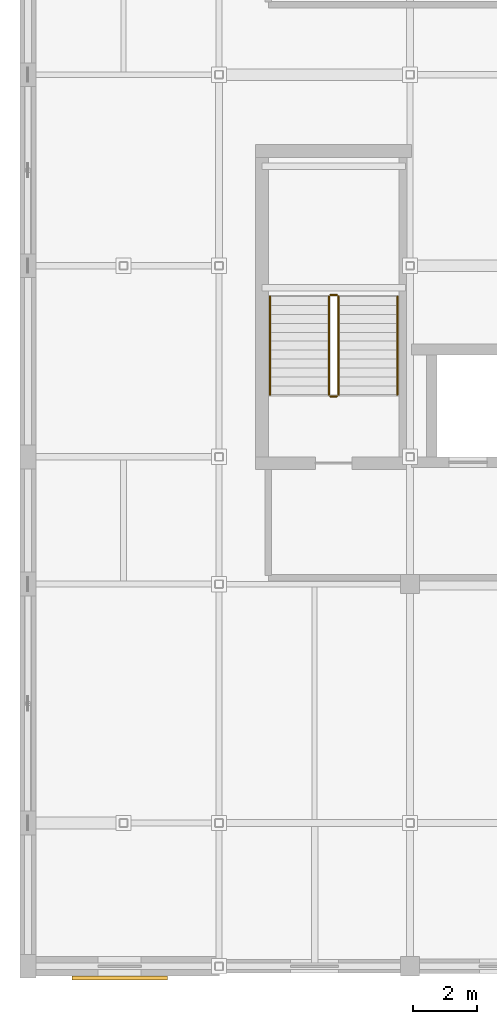
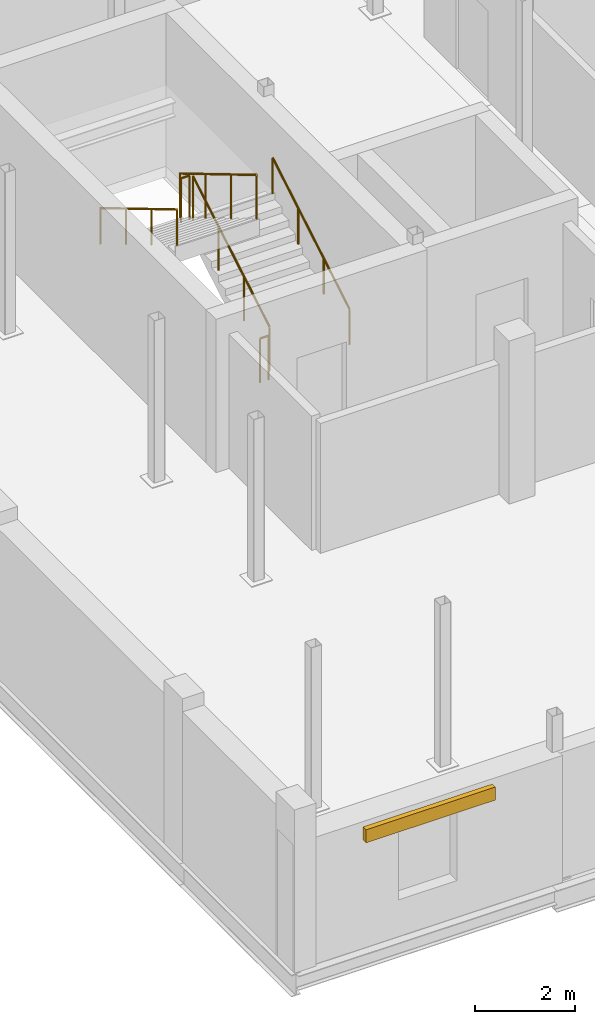
# One storey, part 93 of 96: 6 railings, 1 shading device.
"""IFC4 building model written with IfcOpenShell, lengths in metres."""

from ifc_helpers import new_model, si_unit, direction, frame, origin, origin_2d, place, context, subcontext, project, spatial, rectangle, circle, extrude, material, type_object, element, save


model = new_model("IFC4")

# Units and contexts
model_context = context("Model", 3, precision=1e-05, world=origin(), true_north=direction((0.0, 1.0)))
body_context = subcontext(model_context, "Body", "Model", "MODEL_VIEW")
ifc_project = project(units=[si_unit("LENGTHUNIT", "METRE"), si_unit("AREAUNIT", "SQUARE_METRE"), si_unit("VOLUMEUNIT", "CUBIC_METRE"), si_unit("PLANEANGLEUNIT", "RADIAN"), si_unit("MASSUNIT", "GRAM", prefix="KILO")], contexts=[model_context])

# Site, building, storey
site_placement = place(None, origin())
site = spatial("IfcSite", under=ifc_project, at=site_placement, CompositionType="ELEMENT")
building_placement = place(site_placement, origin())
building = spatial("IfcBuilding", under=site, at=building_placement, Name="Verrall Gate Interchange", CompositionType="ELEMENT")
storey_placement = place(building_placement, frame((0.0, 0.0, 11.39990234375)))
storey = spatial("IfcBuildingStorey", under=building, at=storey_placement, Name="L03", CompositionType="ELEMENT", Elevation=11.39990234375)

# Railings
ifc_material_1 = material(Name="Brushed Stainless-Steel Guardrail and Handrail System", Category="steel")
railing_type_1 = type_object("IfcRailingType", Name="GR-02 Interior Atrium and Stair Guardrail 1100", PredefinedType="GUARDRAIL", material=ifc_material_1)
railing_1_placement = place(storey_placement, frame((9.75, 17.949951171875, 0.166748046875)))
element("IfcRailing", 1, at=railing_1_placement, inside=storey, type_object=railing_type_1, Name="L03 ST-01 stair guard 1", PredefinedType="GUARDRAIL", context=body_context, shape_type="SweptSolid", body=[
    extrude(circle(Radius=0.02392578125, at=origin_2d()), frame((0.0, 0.0, 1.076171875), z_axis=(0.0, 0.859308565015, 0.511457515432), x_axis=(-1.0, 0.0, 0.0)), (0.0, 0.0, 1.0), 3.58447265625),
    extrude(circle(Radius=0.02099609375, at=origin_2d()), origin(), (0.0, 0.0, 1.0), 1.052001953125),
    extrude(circle(Radius=0.02099609375, at=origin_2d()), frame((0.0, 1.026611328125, 0.611083984375)), (0.0, 0.0, 1.0), 1.052001953125),
    extrude(circle(Radius=0.02099609375, at=origin_2d()), frame((0.0, 2.053466796875, 1.22216796875)), (0.0, 0.0, 1.0), 1.052001953125),
    extrude(circle(Radius=0.02099609375, at=origin_2d()), frame((0.0, 3.080078125, 1.833251953125)), (0.0, 0.0, 1.0), 1.052001953125),
])
railing_2_placement = place(storey_placement, frame((9.699951171875, 21.080078125, 2.0)))
element("IfcRailing", 2, at=railing_2_placement, inside=storey, type_object=railing_type_1, Name="L03 ST-01 stair guard 2", PredefinedType="GUARDRAIL", context=body_context, shape_type="SweptSolid", body=[
    extrude(circle(Radius=0.02392578125, at=origin_2d()), frame((0.0, 0.0, 1.076171875), z_axis=(-1.0, 0.0, 0.0), x_axis=(0.0, -1.0, 0.0)), (0.0, 0.0, 1.0), 0.199951171875),
    extrude(circle(Radius=0.02099609375, at=origin_2d()), origin(), (0.0, 0.0, 1.0), 1.052001953125),
    extrude(circle(Radius=0.02099609375, at=origin_2d()), frame((-0.199951171875, 0.0, 0.0)), (0.0, 0.0, 1.0), 1.052001953125),
])
railing_3_placement = place(storey_placement, frame((9.449951171875, 21.030029296875, 2.166748046875)))
element("IfcRailing", 3, at=railing_3_placement, inside=storey, type_object=railing_type_1, Name="L03 ST-01 stair guard 3", PredefinedType="GUARDRAIL", context=body_context, shape_type="SweptSolid", body=[
    extrude(circle(Radius=0.02392578125, at=origin_2d()), frame((0.0, 0.0, 1.076171875), z_axis=(0.0, -0.859308565015, 0.511457515432), x_axis=(1.0, 0.0, 0.0)), (0.0, 0.0, 1.0), 3.58447265625),
    extrude(circle(Radius=0.02099609375, at=origin_2d()), origin(), (0.0, 0.0, 1.0), 1.052001953125),
    extrude(circle(Radius=0.02099609375, at=origin_2d()), frame((0.0, -1.026611328125, 0.611083984375)), (0.0, 0.0, 1.0), 1.052001953125),
    extrude(circle(Radius=0.02099609375, at=origin_2d()), frame((0.0, -2.053466796875, 1.22216796875)), (0.0, 0.0, 1.0), 1.052001953125),
    extrude(circle(Radius=0.02099609375, at=origin_2d()), frame((0.0, -3.080078125, 1.833251953125)), (0.0, 0.0, 1.0), 1.052001953125),
])
railing_4_placement = place(storey_placement, frame((9.699951171875, 17.89990234375, 0.0)))
element("IfcRailing", 4, at=railing_4_placement, inside=storey, type_object=railing_type_1, Name="L03 ST-01 stair guard 4", PredefinedType="GUARDRAIL", context=body_context, shape_type="SweptSolid", body=[
    extrude(circle(Radius=0.02392578125, at=origin_2d()), frame((0.0, 0.0, 1.076171875), z_axis=(-1.0, 0.0, 0.0), x_axis=(0.0, -1.0, 0.0)), (0.0, 0.0, 1.0), 0.199951171875),
    extrude(circle(Radius=0.02099609375, at=origin_2d()), origin(), (0.0, 0.0, 1.0), 1.052001953125),
    extrude(circle(Radius=0.02099609375, at=origin_2d()), frame((-0.199951171875, 0.0, 0.0)), (0.0, 0.0, 1.0), 1.052001953125),
])
ifc_material_2 = material(Name="Brushed Stainless-Steel Guardrail and Handrail System", Category="steel")
railing_type_2 = type_object("IfcRailingType", Name="HR-01 Stair and Ramp Pitch-Line Handrail 920", PredefinedType="HANDRAIL", material=ifc_material_2)
railing_5_placement = place(storey_placement, frame((11.60009765625, 17.949951171875, 0.166748046875)))
element("IfcRailing", 5, at=railing_5_placement, inside=storey, type_object=railing_type_2, Name="L03 ST-01 stair handrail 1", PredefinedType="HANDRAIL", context=body_context, shape_type="SweptSolid", body=[
    extrude(circle(Radius=0.02392578125, at=origin_2d()), frame((0.0, 0.0, 0.8759765625), z_axis=(0.0, 0.859308565015, 0.511457515432), x_axis=(-1.0, 0.0, 0.0)), (0.0, 0.0, 1.0), 3.58447265625),
    extrude(circle(Radius=0.02099609375, at=origin_2d()), origin(), (0.0, 0.0, 1.0), 0.851806640625),
    extrude(circle(Radius=0.02099609375, at=origin_2d()), frame((0.0, 1.026611328125, 0.611083984375)), (0.0, 0.0, 1.0), 0.851806640625),
    extrude(circle(Radius=0.02099609375, at=origin_2d()), frame((0.0, 2.053466796875, 1.22216796875)), (0.0, 0.0, 1.0), 0.851806640625),
    extrude(circle(Radius=0.02099609375, at=origin_2d()), frame((0.0, 3.080078125, 1.833251953125)), (0.0, 0.0, 1.0), 0.851806640625),
])
railing_6_placement = place(storey_placement, frame((7.60009765625, 21.030029296875, 2.166748046875)))
element("IfcRailing", 6, at=railing_6_placement, inside=storey, type_object=railing_type_2, Name="L03 ST-01 stair handrail 2", PredefinedType="HANDRAIL", context=body_context, shape_type="SweptSolid", body=[
    extrude(circle(Radius=0.02392578125, at=origin_2d()), frame((0.0, 0.0, 0.8759765625), z_axis=(0.0, -0.859308565015, 0.511457515432), x_axis=(1.0, 0.0, 0.0)), (0.0, 0.0, 1.0), 3.58447265625),
    extrude(circle(Radius=0.02099609375, at=origin_2d()), origin(), (0.0, 0.0, 1.0), 0.851806640625),
    extrude(circle(Radius=0.02099609375, at=origin_2d()), frame((0.0, -1.026611328125, 0.611083984375)), (0.0, 0.0, 1.0), 0.851806640625),
    extrude(circle(Radius=0.02099609375, at=origin_2d()), frame((0.0, -2.053466796875, 1.22216796875)), (0.0, 0.0, 1.0), 0.851806640625),
    extrude(circle(Radius=0.02099609375, at=origin_2d()), frame((0.0, -3.080078125, 1.833251953125)), (0.0, 0.0, 1.0), 0.851806640625),
])

# Shading device
ifc_material_3 = material(Name="Architectural Bronze Anodized Extruded Louvre Assembly", Category="aluminium")
shading_device_type = type_object("IfcShadingDeviceType", Name="LV-02 Architectural Intake Louvre 3000x1400", PredefinedType="JALOUSIE", material=ifc_material_3)
shading_device_placement = place(storey_placement, frame((2.87890625, -0.3701171875, 2.66015625), z_axis=(0.0, 0.0, 1.0), x_axis=(1.0, 0.0, 0.0)))
element("IfcShadingDevice", 7, at=shading_device_placement, inside=storey, type_object=shading_device_type, Name="L03 Architectural Bronze Brise-Soleil Louvre 026", PredefinedType="JALOUSIE", context=body_context, shape_type="SweptSolid", body=[
    extrude(rectangle(XDim=3.0, YDim=0.1201171875, at=origin_2d()), origin(), (0.0, 0.0, 1.0), 0.320068359375),
])

save(model, "model.ifc")
